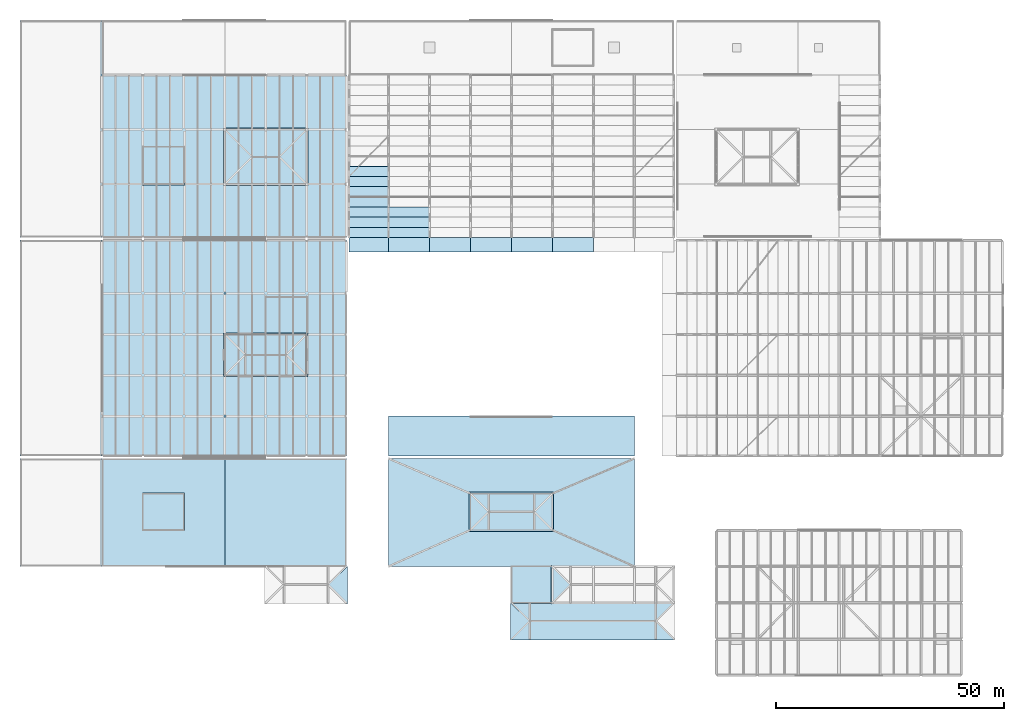
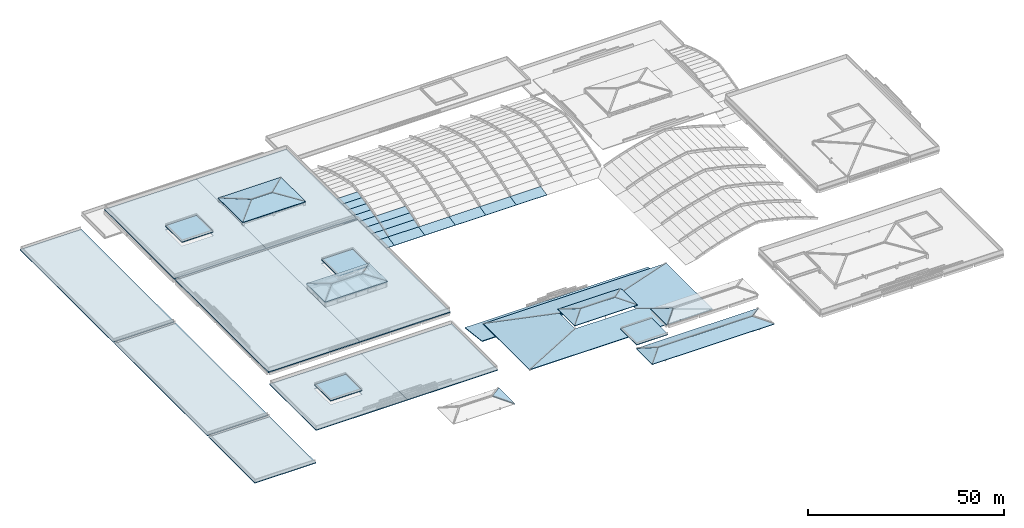
# One storey, part 41 of 56: 51 slabs, 20 elements without a shape of their own.
"""IFC4 building model written with IfcOpenShell, lengths in metres."""

from ifc_helpers import new_model, si_unit, direction, frame, origin, place, context, subcontext, project, spatial, polyline, outline, extrude, material, layer, layer_set, type_object, element, aggregate, save


model = new_model("IFC4")

# Units and contexts
model_context = context("Model", 3, precision=1e-05, world=origin(), true_north=direction((0.0, 1.0)))
body_context = subcontext(model_context, "Body", "Model", "MODEL_VIEW")
ifc_project = project(units=[si_unit("LENGTHUNIT", "METRE"), si_unit("AREAUNIT", "SQUARE_METRE"), si_unit("VOLUMEUNIT", "CUBIC_METRE"), si_unit("PLANEANGLEUNIT", "RADIAN"), si_unit("MASSUNIT", "GRAM", prefix="KILO")], contexts=[model_context])

# Site, building, storey
site_placement = place(None, origin())
site = spatial("IfcSite", under=ifc_project, at=site_placement, CompositionType="ELEMENT")
building_placement = place(site_placement, origin())
building = spatial("IfcBuilding", under=site, at=building_placement, Name="Zacnel Wholesale Market", CompositionType="ELEMENT")
storey_placement = place(building_placement, frame((0.0, 0.0, 20.300048828125)))
storey = spatial("IfcBuildingStorey", under=building, at=storey_placement, Name="RF", CompositionType="ELEMENT", Elevation=20.300048828125)

# Slabs
ifc_material_1 = material(Name="Precast concrete C45/55", Category="concrete")
ifc_layer_1 = layer(ifc_material_1, 0.239990234375)
ifc_layer_set_1 = layer_set([ifc_layer_1], Name="Precast concrete C45/55")
slab_type_1 = type_object("IfcSlabType", Name="SLB-CORE-RF240", PredefinedType="ROOF", material=ifc_layer_set_1)
slab_1_placement = place(storey_placement, frame((0.0, 0.0, -2.340087890625)))
element("IfcSlab", 1, at=slab_1_placement, inside=storey, type_object=slab_type_1, Name="Core C3 roof cap slab", PredefinedType="ROOF", context=body_context, shape_type="SweptSolid", body=[
    extrude(outline(polyline([(26.875, 31.875), (36.125, 31.875), (36.125, 40.125), (26.875, 40.125), (26.875, 31.875)])), origin(), (0.0, 0.0, 1.0), 0.239990234375),
])
slab_2_placement = place(storey_placement, frame((0.0, 0.0, 1.010009765625)))
element("IfcSlab", 2, at=slab_2_placement, inside=storey, type_object=slab_type_1, Name="Core C4 roof cap slab", PredefinedType="ROOF", context=body_context, shape_type="SweptSolid", body=[
    extrude(outline(polyline([(53.875, 74.875), (63.125, 74.875), (63.125, 83.324951171875), (53.875, 83.324951171875), (53.875, 74.875)])), origin(), (0.0, 0.0, 1.0), 0.239990234375),
])
slab_3_placement = place(storey_placement, frame((0.0, 0.0, 1.010009765625)))
element("IfcSlab", 3, at=slab_3_placement, inside=storey, type_object=slab_type_1, Name="Core C5 roof cap slab", PredefinedType="ROOF", context=body_context, shape_type="SweptSolid", body=[
    extrude(outline(polyline([(26.875, 107.875), (36.125, 107.875), (36.125, 116.324951171875), (26.875, 116.324951171875), (26.875, 107.875)])), origin(), (0.0, 0.0, 1.0), 0.239990234375),
])
slab_4_placement = place(storey_placement, frame((0.0, 0.0, -3.5400390625)))
element("IfcSlab", 4, at=slab_4_placement, inside=storey, type_object=slab_type_1, Name="Core C8 roof cap slab", PredefinedType="ROOF", context=body_context, shape_type="SweptSolid", body=[
    extrude(outline(polyline([(107.875, 15.875), (117.125, 15.875), (117.125, 24.125), (107.875, 24.125), (107.875, 15.875)])), origin(), (0.0, 0.0, 1.0), 0.239990234375),
])

# Roof, slab
ifc_material_2 = material(Name="Precast concrete C45/55", Category="concrete")
ifc_layer_2 = layer(ifc_material_2, 0.219970703125)
ifc_layer_set_2 = layer_set([ifc_layer_2], Name="Precast concrete C45/55")
roof_type_1 = type_object("IfcRoofType", Name="ROOF-PAVILION-COF", PredefinedType="PAVILION_ROOF", material=ifc_layer_set_2)
roof_1_placement = place(storey_placement, origin())
roof_1 = element("IfcRoof", 5, at=roof_1_placement, inside=storey, type_object=roof_type_1, Name="Auction pavilion colonnade portico roof", PredefinedType="PAVILION_ROOF")
ifc_material_3 = material(Name="Precast concrete C45/55", Category="concrete")
ifc_layer_3 = layer(ifc_material_3, 0.260009765625)
ifc_layer_set_3 = layer_set([ifc_layer_3], Name="Precast concrete C45/55")
slab_type_2 = type_object("IfcSlabType", Name="SLB-ROOF-COF-260", PredefinedType="ROOF", material=ifc_layer_set_3)
slab_5_placement = place(storey_placement, frame((81.0, 57.0, -13.5), z_axis=(0.0, 0.119826315043, 0.992794870164), x_axis=(1.0, 0.0, 0.0)))
slab_5 = element("IfcSlab", 6, at=slab_5_placement, type_object=slab_type_2, Name="Auction pavilion colonnade sloped roof", PredefinedType="ROOF", context=body_context, shape_type="SweptSolid", body=[
    extrude(outline(polyline([(0.0, 0.0), (54.0, 0.0), (54.0, -8.763090375800985), (0.0, -8.763090375800985), (0.0, 0.0)])), origin(), (0.0, 0.0, -1.0), 0.239990234375),
])
aggregate(roof_1, [slab_5])

# Roof, slabs
roof_2_placement = place(storey_placement, origin())
roof_2 = element("IfcRoof", 7, at=roof_2_placement, inside=storey, type_object=roof_type_1, Name="Auction pavilion hipped precast roof", PredefinedType="PAVILION_ROOF")
slab_6_placement = place(storey_placement, frame((81.0, 24.0, -6.650146484375), z_axis=(0.0, -0.196127644693, 0.98057837371), x_axis=(1.0, 0.0, 0.0)))
slab_6 = element("IfcSlab", 8, at=slab_6_placement, type_object=slab_type_2, Name="Auction pavilion hipped facet S", PredefinedType="ROOF", context=body_context, shape_type="SweptSolid", body=[
    extrude(outline(polyline([(0.0, 0.0), (54.0, 0.0), (36.0, 8.158450374276768), (18.0, 8.158450374276768), (0.0, 0.0)])), origin(), (0.0, 0.0, -1.0), 0.239990234375),
])
slab_7_placement = place(storey_placement, frame((135.0, 47.699951171875, -6.650146484375), z_axis=(0.0, 0.203459596992, 0.979083342924), x_axis=(-1.0, 0.0, 0.0)))
slab_7 = element("IfcSlab", 9, at=slab_7_placement, type_object=slab_type_2, Name="Auction pavilion hipped facet N", PredefinedType="ROOF", context=body_context, shape_type="SweptSolid", body=[
    extrude(outline(polyline([(0.0, 0.0), (54.0, 0.0), (36.0, 7.864449158001845), (18.0, 7.864449158001845), (0.0, 0.0)])), origin(), (0.0, 0.0, -1.0), 0.239990234375),
])
slab_8_placement = place(storey_placement, frame((81.0, 47.699951171875, -6.650146484375), z_axis=(-0.088545151956, 0.0, 0.996072164085), x_axis=(0.0, -1.0, 0.0)))
slab_8 = element("IfcSlab", 10, at=slab_8_placement, type_object=slab_type_2, Name="Auction pavilion hipped facet W", PredefinedType="ROOF", context=body_context, shape_type="SweptSolid", body=[
    extrude(outline(polyline([(0.0, 0.0), (23.699951171875, 0.0), (15.699951171875, 18.07097984364812), (7.699951171875, 18.07097984364812), (0.0, 0.0)])), origin(), (0.0, 0.0, -1.0), 0.239990234375),
])
slab_9_placement = place(storey_placement, frame((135.0, 24.0, -6.650146484375), z_axis=(0.088545151956, 0.0, 0.996072164085), x_axis=(0.0, 1.0, 0.0)))
slab_9 = element("IfcSlab", 11, at=slab_9_placement, type_object=slab_type_2, Name="Auction pavilion hipped facet E", PredefinedType="ROOF", context=body_context, shape_type="SweptSolid", body=[
    extrude(outline(polyline([(0.0, 0.0), (23.699951171875, 0.0), (16.0, 18.07097984364812), (8.0, 18.07097984364812), (0.0, 0.0)])), origin(), (0.0, 0.0, -1.0), 0.239990234375),
])
aggregate(roof_2, [slab_6, slab_7, slab_8, slab_9])

# Roof, slab
ifc_material_4 = material(Name="Precast concrete C45/55", Category="concrete")
ifc_layer_4 = layer(ifc_material_4, 0.280029296875)
ifc_layer_set_4 = layer_set([ifc_layer_4], Name="Precast concrete C45/55")
roof_type_2 = type_object("IfcRoofType", Name="ROOF-FLAT-PRECAST", PredefinedType="FLAT_ROOF", material=ifc_layer_set_4)
roof_3_placement = place(storey_placement, origin())
roof_3 = element("IfcRoof", 12, at=roof_3_placement, inside=storey, type_object=roof_type_2, Name="Precast roof assembly STR-ROOF-V3-DOCK-S", PredefinedType="FLAT_ROOF")
slab_10_placement = place(storey_placement, frame((0.0, 0.0, -13.760009765625)))
slab_10 = element("IfcSlab", 13, at=slab_10_placement, type_object=slab_type_2, Name="Precast roof slab STR-ROOF-V3-DOCK-S/SLB", PredefinedType="ROOF", context=body_context, shape_type="SweptSolid", body=[
    extrude(outline(polyline([(18.0, 24.0), (18.0, 47.699951171875), (0.0, 47.699951171875), (0.0, 24.0), (18.0, 24.0)])), origin(), (0.0, 0.0, 1.0), 0.260009765625),
])
aggregate(roof_3, [slab_10])

roof_4_placement = place(storey_placement, origin())
roof_4 = element("IfcRoof", 14, at=roof_4_placement, inside=storey, type_object=roof_type_2, Name="Precast roof assembly STR-ROOF-V3-DOCK-M", PredefinedType="FLAT_ROOF")
slab_11_placement = place(storey_placement, frame((0.0, 0.0, -13.760009765625)))
slab_11 = element("IfcSlab", 15, at=slab_11_placement, type_object=slab_type_2, Name="Precast roof slab STR-ROOF-V3-DOCK-M/SLB", PredefinedType="ROOF", context=body_context, shape_type="SweptSolid", body=[
    extrude(outline(polyline([(18.0, 48.300048828125), (18.0, 95.699951171875), (0.0, 95.699951171875), (0.0, 48.300048828125), (18.0, 48.300048828125)])), origin(), (0.0, 0.0, 1.0), 0.260009765625),
])
aggregate(roof_4, [slab_11])

roof_5_placement = place(storey_placement, origin())
roof_5 = element("IfcRoof", 16, at=roof_5_placement, inside=storey, type_object=roof_type_2, Name="Precast roof assembly STR-ROOF-V3-DOCK-N", PredefinedType="FLAT_ROOF")
slab_12_placement = place(storey_placement, frame((0.0, 0.0, -13.760009765625)))
slab_12 = element("IfcSlab", 17, at=slab_12_placement, type_object=slab_type_2, Name="Precast roof slab STR-ROOF-V3-DOCK-N/SLB", PredefinedType="ROOF", context=body_context, shape_type="SweptSolid", body=[
    extrude(outline(polyline([(18.0, 96.300048828125), (18.0, 144.0), (0.0, 144.0), (0.0, 96.300048828125), (18.0, 96.300048828125)])), origin(), (0.0, 0.0, 1.0), 0.260009765625),
])
aggregate(roof_5, [slab_12])

roof_6_placement = place(storey_placement, origin())
roof_6 = element("IfcRoof", 18, at=roof_6_placement, inside=storey, type_object=roof_type_1, Name="Hipped precast roof assembly STR-ROOF-V4W-PAV", PredefinedType="PAVILION_ROOF")
slab_13_placement = place(storey_placement, frame((71.949951171875, 15.75, -9.10009765625), z_axis=(0.302734291472, 0.0, 0.953074996402), x_axis=(0.0, 1.0, 0.0)))
slab_13 = element("IfcSlab", 19, at=slab_13_placement, type_object=slab_type_2, Name="Hipped roof facet STR-ROOF-V4W-PAV-E", PredefinedType="ROOF", context=body_context, shape_type="SweptSolid", body=[
    extrude(outline(polyline([(0.0, 0.0), (8.239990234375, 0.0), (4.25, 4.401614117683645), (0.0, 0.0)])), origin(), (0.0, 0.0, -1.0), 0.219970703125),
])
aggregate(roof_6, [slab_13])

# Roof, slabs
roof_7_placement = place(storey_placement, origin())
roof_7 = element("IfcRoof", 20, at=roof_7_placement, inside=storey, type_object=roof_type_1, Name="Hipped precast roof assembly STR-ROOF-V4E-SOUTH", PredefinedType="PAVILION_ROOF")
slab_14_placement = place(storey_placement, frame((107.800048828125, 7.800048828125, -4.550048828125), z_axis=(0.0, -0.295678837886, 0.955287404306), x_axis=(1.0, 0.0, 0.0)))
slab_14 = element("IfcSlab", 21, at=slab_14_placement, type_object=slab_type_2, Name="Hipped roof facet STR-ROOF-V4E-SOUTH-S", PredefinedType="ROOF", context=body_context, shape_type="SweptSolid", body=[
    extrude(outline(polyline([(0.0, 0.0), (36.099853515625, 0.0), (31.954833984375, 4.3390287703623835), (4.14501953125, 4.3390287703623835), (0.0, 0.0)])), origin(), (0.0, 0.0, -1.0), 0.219970703125),
])
slab_15_placement = place(storey_placement, frame((143.89990234375, 15.989990234375, -4.550048828125), z_axis=(0.0, 0.309760937826, 0.950814472648), x_axis=(-1.0, 0.0, 0.0)))
slab_15 = element("IfcSlab", 22, at=slab_15_placement, type_object=slab_type_2, Name="Hipped roof facet STR-ROOF-V4E-SOUTH-N", PredefinedType="ROOF", context=body_context, shape_type="SweptSolid", body=[
    extrude(outline(polyline([(0.0, 0.0), (36.099853515625, 0.0), (31.954833984375, 4.138618738932378), (4.14501953125, 4.138618738932378), (0.0, 0.0)])), origin(), (0.0, 0.0, -1.0), 0.219970703125),
])
slab_16_placement = place(storey_placement, frame((107.800048828125, 15.989990234375, -4.550048828125), z_axis=(-0.295678837886, 0.0, 0.955287404306), x_axis=(0.0, -1.0, 0.0)))
slab_16 = element("IfcSlab", 23, at=slab_16_placement, type_object=slab_type_2, Name="Hipped roof facet STR-ROOF-V4E-SOUTH-W", PredefinedType="ROOF", context=body_context, shape_type="SweptSolid", body=[
    extrude(outline(polyline([(0.0, 0.0), (8.18994140625, 0.0), (3.989990234375, 4.339028770362384), (0.0, 0.0)])), origin(), (0.0, 0.0, -1.0), 0.219970703125),
])
aggregate(roof_7, [slab_14, slab_15, slab_16])

# Roof, slab
roof_8_placement = place(storey_placement, origin())
roof_8 = element("IfcRoof", 24, at=roof_8_placement, inside=storey, type_object=roof_type_1, Name="Hipped precast roof assembly STR-ROOF-V4E-TOP", PredefinedType="PAVILION_ROOF")
slab_17_placement = place(storey_placement, frame((116.75, 24.25, -0.300048828125), z_axis=(-0.292505539311, 0.0, 0.956263828382), x_axis=(0.0, -1.0, 0.0)))
slab_17 = element("IfcSlab", 25, at=slab_17_placement, type_object=slab_type_2, Name="Hipped roof facet STR-ROOF-V4E-TOP-W", PredefinedType="ROOF", context=body_context, shape_type="SweptSolid", body=[
    extrude(outline(polyline([(0.0, 0.0), (8.5, 0.0), (4.25, 4.386936151785095), (0.0, 0.0)])), origin(), (0.0, 0.0, -1.0), 0.219970703125),
])
aggregate(roof_8, [slab_17])

# Roof, slabs
roof_9_placement = place(storey_placement, origin())
roof_9 = element("IfcRoof", 26, at=roof_9_placement, inside=storey, type_object=roof_type_2, Name="Precast roof assembly STR-ROOF-V3-DT-S", PredefinedType="FLAT_ROOF")
ifc_material_5 = material(Name="Precast concrete C45/55", Category="concrete")
ifc_layer_5 = layer(ifc_material_5, 0.280029296875)
ifc_layer_set_5 = layer_set([ifc_layer_5], Name="Precast concrete C45/55")
slab_type_3 = type_object("IfcSlabType", Name="SLB-ROOF-DT-280", PredefinedType="ROOF", material=ifc_layer_set_5)
slab_18_placement = place(storey_placement, frame((0.0, 0.0, -3.630126953125)))
slab_18 = element("IfcSlab", 27, at=slab_18_placement, type_object=slab_type_3, Name="Precast roof slab STR-ROOF-V3-DT-S/SLB1", PredefinedType="ROOF", context=body_context, shape_type="SweptSolid", body=[
    extrude(outline(polyline([(18.0, 47.699951171875), (45.0, 47.699951171875), (45.0, 24.0), (18.0, 24.0), (18.0, 47.699951171875)]), holes=[polyline([(26.8701171875, 40.1298828125), (26.8701171875, 31.8701171875), (36.1298828125, 31.8701171875), (36.1298828125, 40.1298828125), (26.8701171875, 40.1298828125)])]), origin(), (0.0, 0.0, 1.0), 0.280029296875),
])
slab_19_placement = place(storey_placement, frame((0.0, 0.0, -3.630126953125)))
slab_19 = element("IfcSlab", 28, at=slab_19_placement, type_object=slab_type_3, Name="Precast roof slab STR-ROOF-V3-DT-S/SLB2", PredefinedType="ROOF", context=body_context, shape_type="SweptSolid", body=[
    extrude(outline(polyline([(71.699951171875, 47.699951171875), (71.699951171875, 24.0), (45.0, 24.0), (45.0, 47.699951171875), (71.699951171875, 47.699951171875)])), origin(), (0.0, 0.0, 1.0), 0.280029296875),
])
aggregate(roof_9, [slab_18, slab_19])

# Roof, slab
ifc_material_6 = material(Name="Concrete C40/50", Category="concrete")
ifc_layer_6 = layer(ifc_material_6, 0.110107421875)
ifc_layer_set_6 = layer_set([ifc_layer_6], Name="Concrete C40/50")
roof_type_3 = type_object("IfcRoofType", Name="ROOF-BARREL-36M", PredefinedType="BARREL_ROOF", material=ifc_layer_set_6)
roof_10_placement = place(storey_placement, origin())
roof_10 = element("IfcRoof", 29, at=roof_10_placement, inside=storey, type_object=roof_type_3, Name="Parabolic barrel-shell roof V1N-W-01", PredefinedType="BARREL_ROOF")
ifc_material_7 = material(Name="Concrete C40/50", Category="concrete")
ifc_layer_7 = layer(ifc_material_7, 0.1298828125)
ifc_layer_set_7 = layer_set([ifc_layer_7], Name="Concrete C40/50")
slab_type_4 = type_object("IfcSlabType", Name="SLB-ROOF-EAVE-130", PredefinedType="ROOF", material=ifc_layer_set_7)
slab_20_placement = place(storey_placement, frame((72.300048828125, 93.10009765625, -9.800048828125), z_axis=(0.0, -0.213685764849, 0.976902448508), x_axis=(1.0, 0.0, 0.0)))
slab_20 = element("IfcSlab", 30, at=slab_20_placement, type_object=slab_type_4, Name="Storm eave shell leaf V1N-W-01", PredefinedType="ROOF", context=body_context, shape_type="SweptSolid", body=[
    extrude(outline(polyline([(0.0, 0.0), (8.699951171875, 0.0), (8.699951171875, 3.275609736429749), (0.0, 3.275609736429749), (0.0, 0.0)])), origin(), (0.0, 0.0, -1.0), 0.1298828125),
])

roof_11_placement = place(storey_placement, origin())
roof_11 = element("IfcRoof", 31, at=roof_11_placement, inside=storey, type_object=roof_type_3, Name="Parabolic barrel-shell roof V1N-W-02", PredefinedType="BARREL_ROOF")
slab_21_placement = place(storey_placement, frame((81.0, 93.10009765625, -9.800048828125), z_axis=(0.0, -0.213685764849, 0.976902448508), x_axis=(1.0, 0.0, 0.0)))
slab_21 = element("IfcSlab", 32, at=slab_21_placement, type_object=slab_type_4, Name="Storm eave shell leaf V1N-W-02", PredefinedType="ROOF", context=body_context, shape_type="SweptSolid", body=[
    extrude(outline(polyline([(0.0, 0.0), (9.0, 0.0), (9.0, 3.2756097364297494), (0.0, 3.2756097364297494), (0.0, 0.0)])), origin(), (0.0, 0.0, -1.0), 0.1298828125),
])

roof_12_placement = place(storey_placement, origin())
roof_12 = element("IfcRoof", 33, at=roof_12_placement, inside=storey, type_object=roof_type_3, Name="Parabolic barrel-shell roof V1N-W-03", PredefinedType="BARREL_ROOF")
slab_22_placement = place(storey_placement, frame((90.0, 93.10009765625, -9.800048828125), z_axis=(0.0, -0.213685764849, 0.976902448508), x_axis=(1.0, 0.0, 0.0)))
slab_22 = element("IfcSlab", 34, at=slab_22_placement, type_object=slab_type_4, Name="Storm eave shell leaf V1N-W-03", PredefinedType="ROOF", context=body_context, shape_type="SweptSolid", body=[
    extrude(outline(polyline([(0.0, 0.0), (9.0, 0.0), (9.0, 3.2756097364297494), (0.0, 3.2756097364297494), (0.0, 0.0)])), origin(), (0.0, 0.0, -1.0), 0.1298828125),
])
aggregate(roof_12, [slab_22])

roof_13_placement = place(storey_placement, origin())
roof_13 = element("IfcRoof", 35, at=roof_13_placement, inside=storey, type_object=roof_type_3, Name="Parabolic barrel-shell roof V1N-W-04", PredefinedType="BARREL_ROOF")
slab_23_placement = place(storey_placement, frame((99.0, 93.10009765625, -9.800048828125), z_axis=(0.0, -0.213685764849, 0.976902448508), x_axis=(1.0, 0.0, 0.0)))
slab_23 = element("IfcSlab", 36, at=slab_23_placement, type_object=slab_type_4, Name="Storm eave shell leaf V1N-W-04", PredefinedType="ROOF", context=body_context, shape_type="SweptSolid", body=[
    extrude(outline(polyline([(0.0, 0.0), (9.0, 0.0), (9.0, 3.2756097364297494), (0.0, 3.2756097364297494), (0.0, 0.0)])), origin(), (0.0, 0.0, -1.0), 0.1298828125),
])
aggregate(roof_13, [slab_23])

roof_14_placement = place(storey_placement, origin())
roof_14 = element("IfcRoof", 37, at=roof_14_placement, inside=storey, type_object=roof_type_3, Name="Parabolic barrel-shell roof V1N-W-05", PredefinedType="BARREL_ROOF")
slab_24_placement = place(storey_placement, frame((108.0, 93.10009765625, -9.800048828125), z_axis=(0.0, -0.213685764849, 0.976902448508), x_axis=(1.0, 0.0, 0.0)))
slab_24 = element("IfcSlab", 38, at=slab_24_placement, type_object=slab_type_4, Name="Storm eave shell leaf V1N-W-05", PredefinedType="ROOF", context=body_context, shape_type="SweptSolid", body=[
    extrude(outline(polyline([(0.0, 0.0), (9.0, 0.0), (9.0, 3.2756097364297494), (0.0, 3.2756097364297494), (0.0, 0.0)])), origin(), (0.0, 0.0, -1.0), 0.1298828125),
])
aggregate(roof_14, [slab_24])

roof_15_placement = place(storey_placement, origin())
roof_15 = element("IfcRoof", 39, at=roof_15_placement, inside=storey, type_object=roof_type_3, Name="Parabolic barrel-shell roof V1N-W-06", PredefinedType="BARREL_ROOF")
slab_25_placement = place(storey_placement, frame((117.0, 93.10009765625, -9.800048828125), z_axis=(0.0, -0.213685764849, 0.976902448508), x_axis=(1.0, 0.0, 0.0)))
slab_25 = element("IfcSlab", 40, at=slab_25_placement, type_object=slab_type_4, Name="Storm eave shell leaf V1N-W-06", PredefinedType="ROOF", context=body_context, shape_type="SweptSolid", body=[
    extrude(outline(polyline([(0.0, 0.0), (9.0, 0.0), (9.0, 3.2756097364297494), (0.0, 3.2756097364297494), (0.0, 0.0)])), origin(), (0.0, 0.0, -1.0), 0.1298828125),
])
aggregate(roof_15, [slab_25])

# Roof, slabs
roof_16_placement = place(storey_placement, origin())
roof_16 = element("IfcRoof", 41, at=roof_16_placement, inside=storey, type_object=roof_type_1, Name="Hipped precast roof assembly STR-ROOF-V2-LANT", PredefinedType="PAVILION_ROOF")
ifc_material_8 = material(Name="Precast concrete C45/55", Category="concrete")
ifc_layer_8 = layer(ifc_material_8, 0.219970703125)
ifc_layer_set_8 = layer_set([ifc_layer_8], Name="Precast concrete C45/55")
slab_type_5 = type_object("IfcSlabType", Name="SLB-ROOF-LAN-220", PredefinedType="ROOF", material=ifc_layer_set_8)
slab_26_placement = place(storey_placement, frame((98.699951171875, 31.699951171875, -3.85009765625), z_axis=(0.0, -0.289397712387, 0.957208944831), x_axis=(1.0, 0.0, 0.0)))
slab_26 = element("IfcSlab", 42, at=slab_26_placement, type_object=slab_type_5, Name="Hipped roof facet STR-ROOF-V2-LANT-S", PredefinedType="ROOF", context=body_context, shape_type="SweptSolid", body=[
    extrude(outline(polyline([(0.0, 0.0), (18.60009765625, 0.0), (14.35498046875, 4.434890846373584), (4.2451171875, 4.434890846373584), (0.0, 0.0)])), origin(), (0.0, 0.0, -1.0), 0.199951171875),
])
slab_27_placement = place(storey_placement, frame((117.300048828125, 40.300048828125, -3.85009765625), z_axis=(0.0, 0.289397712387, 0.957208944831), x_axis=(-1.0, 0.0, 0.0)))
slab_27 = element("IfcSlab", 43, at=slab_27_placement, type_object=slab_type_5, Name="Hipped roof facet STR-ROOF-V2-LANT-N", PredefinedType="ROOF", context=body_context, shape_type="SweptSolid", body=[
    extrude(outline(polyline([(0.0, 0.0), (18.60009765625, 0.0), (14.35498046875, 4.434890846373584), (4.2451171875, 4.434890846373584), (0.0, 0.0)])), origin(), (0.0, 0.0, -1.0), 0.199951171875),
])
slab_28_placement = place(storey_placement, frame((98.699951171875, 40.300048828125, -3.85009765625), z_axis=(-0.289397712387, 0.0, 0.957208944831), x_axis=(0.0, -1.0, 0.0)))
slab_28 = element("IfcSlab", 44, at=slab_28_placement, type_object=slab_type_5, Name="Hipped roof facet STR-ROOF-V2-LANT-W", PredefinedType="ROOF", context=body_context, shape_type="SweptSolid", body=[
    extrude(outline(polyline([(0.0, 0.0), (8.60009765625, 0.0), (4.300048828125, 4.434890846373583), (0.0, 0.0)])), origin(), (0.0, 0.0, -1.0), 0.199951171875),
])
slab_29_placement = place(storey_placement, frame((117.300048828125, 31.699951171875, -3.85009765625), z_axis=(0.289397712387, 0.0, 0.957208944831), x_axis=(0.0, 1.0, 0.0)))
slab_29 = element("IfcSlab", 45, at=slab_29_placement, type_object=slab_type_5, Name="Hipped roof facet STR-ROOF-V2-LANT-E", PredefinedType="ROOF", context=body_context, shape_type="SweptSolid", body=[
    extrude(outline(polyline([(0.0, 0.0), (8.60009765625, 0.0), (4.300048828125, 4.434890846373583), (0.0, 0.0)])), origin(), (0.0, 0.0, -1.0), 0.199951171875),
])
aggregate(roof_16, [slab_26, slab_27, slab_28, slab_29])

roof_17_placement = place(storey_placement, origin())
roof_17 = element("IfcRoof", 46, at=roof_17_placement, inside=storey, type_object=roof_type_1, Name="Hipped precast roof assembly STR-ROOF-V3NLAN", PredefinedType="PAVILION_ROOF")
slab_30_placement = place(storey_placement, frame((44.699951171875, 107.699951171875, 1.199951171875), z_axis=(0.0, -0.187097990464, 0.982341255351), x_axis=(1.0, 0.0, 0.0)))
slab_30 = element("IfcSlab", 47, at=slab_30_placement, type_object=slab_type_5, Name="Hipped roof facet STR-ROOF-V3NLAN-S", PredefinedType="ROOF", context=body_context, shape_type="SweptSolid", body=[
    extrude(outline(polyline([(0.0, 0.0), (18.60009765625, 0.0), (12.35498046875, 6.357380547220701), (6.2451171875, 6.357380547220701), (0.0, 0.0)])), origin(), (0.0, 0.0, -1.0), 0.219970703125),
])
slab_31_placement = place(storey_placement, frame((63.300048828125, 120.300048828125, 1.199951171875), z_axis=(0.0, 0.187097990464, 0.982341255351), x_axis=(-1.0, 0.0, 0.0)))
slab_31 = element("IfcSlab", 48, at=slab_31_placement, type_object=slab_type_5, Name="Hipped roof facet STR-ROOF-V3NLAN-N", PredefinedType="ROOF", context=body_context, shape_type="SweptSolid", body=[
    extrude(outline(polyline([(0.0, 0.0), (18.60009765625, 0.0), (12.35498046875, 6.357380547220701), (6.2451171875, 6.357380547220701), (0.0, 0.0)])), origin(), (0.0, 0.0, -1.0), 0.219970703125),
])
slab_32_placement = place(storey_placement, frame((44.699951171875, 120.300048828125, 1.199951171875), z_axis=(-0.187097990464, 0.0, 0.982341255351), x_axis=(0.0, -1.0, 0.0)))
slab_32 = element("IfcSlab", 49, at=slab_32_placement, type_object=slab_type_5, Name="Hipped roof facet STR-ROOF-V3NLAN-W", PredefinedType="ROOF", context=body_context, shape_type="SweptSolid", body=[
    extrude(outline(polyline([(0.0, 0.0), (12.60009765625, 0.0), (6.300048828125, 6.3573805472207), (0.0, 0.0)])), origin(), (0.0, 0.0, -1.0), 0.219970703125),
])
slab_33_placement = place(storey_placement, frame((63.300048828125, 107.699951171875, 1.199951171875), z_axis=(0.187097990464, 0.0, 0.982341255351), x_axis=(0.0, 1.0, 0.0)))
slab_33 = element("IfcSlab", 50, at=slab_33_placement, type_object=slab_type_5, Name="Hipped roof facet STR-ROOF-V3NLAN-E", PredefinedType="ROOF", context=body_context, shape_type="SweptSolid", body=[
    extrude(outline(polyline([(0.0, 0.0), (12.60009765625, 0.0), (6.300048828125, 6.3573805472207), (0.0, 0.0)])), origin(), (0.0, 0.0, -1.0), 0.219970703125),
])
aggregate(roof_17, [slab_30, slab_31, slab_32, slab_33])

roof_18_placement = place(storey_placement, origin())
roof_18 = element("IfcRoof", 51, at=roof_18_placement, inside=storey, type_object=roof_type_1, Name="Hipped precast roof assembly STR-ROOF-V3-PENT", PredefinedType="PAVILION_ROOF")
slab_34_placement = place(storey_placement, frame((44.699951171875, 65.699951171875, 1.800048828125), z_axis=(0.0, -0.223372185616, 0.974733228475), x_axis=(1.0, 0.0, 0.0)))
slab_34 = element("IfcSlab", 52, at=slab_34_placement, type_object=slab_type_5, Name="Hipped roof facet STR-ROOF-V3-PENT-S", PredefinedType="ROOF", context=body_context, shape_type="SweptSolid", body=[
    extrude(outline(polyline([(0.0, 0.0), (18.60009765625, 0.0), (13.85498046875, 4.868118833831083), (4.7451171875, 4.868118833831083), (0.0, 0.0)])), origin(), (0.0, 0.0, -1.0), 0.219970703125),
])
slab_35_placement = place(storey_placement, frame((63.300048828125, 75.300048828125, 1.800048828125), z_axis=(0.0, 0.223372185616, 0.974733228475), x_axis=(-1.0, 0.0, 0.0)))
slab_35 = element("IfcSlab", 53, at=slab_35_placement, type_object=slab_type_5, Name="Hipped roof facet STR-ROOF-V3-PENT-N", PredefinedType="ROOF", context=body_context, shape_type="SweptSolid", body=[
    extrude(outline(polyline([(0.0, 0.0), (18.60009765625, 0.0), (13.85498046875, 4.868118833831083), (4.7451171875, 4.868118833831083), (0.0, 0.0)])), origin(), (0.0, 0.0, -1.0), 0.219970703125),
])
slab_36_placement = place(storey_placement, frame((44.699951171875, 75.300048828125, 1.800048828125), z_axis=(-0.223372185616, 0.0, 0.974733228475), x_axis=(0.0, -1.0, 0.0)))
slab_36 = element("IfcSlab", 54, at=slab_36_placement, type_object=slab_type_5, Name="Hipped roof facet STR-ROOF-V3-PENT-W", PredefinedType="ROOF", context=body_context, shape_type="SweptSolid", body=[
    extrude(outline(polyline([(0.0, 0.0), (9.60009765625, 0.0), (4.800048828125, 4.868118833831083), (0.0, 0.0)])), origin(), (0.0, 0.0, -1.0), 0.219970703125),
])
slab_37_placement = place(storey_placement, frame((63.300048828125, 65.699951171875, 1.800048828125), z_axis=(0.223372185616, 0.0, 0.974733228475), x_axis=(0.0, 1.0, 0.0)))
slab_37 = element("IfcSlab", 55, at=slab_37_placement, type_object=slab_type_5, Name="Hipped roof facet STR-ROOF-V3-PENT-E", PredefinedType="ROOF", context=body_context, shape_type="SweptSolid", body=[
    extrude(outline(polyline([(0.0, 0.0), (9.60009765625, 0.0), (4.800048828125, 4.868118833831083), (0.0, 0.0)])), origin(), (0.0, 0.0, -1.0), 0.219970703125),
])
aggregate(roof_18, [slab_34, slab_35, slab_36, slab_37])

roof_19_placement = place(storey_placement, origin())
roof_19 = element("IfcRoof", 56, at=roof_19_placement, inside=storey, type_object=roof_type_2, Name="Precast roof assembly STR-ROOF-V3-DT-N", PredefinedType="FLAT_ROOF")
ifc_material_9 = material(Name="Precast concrete C45/55", Category="concrete")
ifc_layer_9 = layer(ifc_material_9, 0.320068359375)
ifc_layer_set_9 = layer_set([ifc_layer_9], Name="Precast concrete C45/55")
slab_type_6 = type_object("IfcSlabType", Name="SLB-ROOF-PLT-320", PredefinedType="ROOF", material=ifc_layer_set_9)
slab_38_placement = place(storey_placement, frame((0.0, 0.0, -0.320068359375)))
slab_38 = element("IfcSlab", 57, at=slab_38_placement, type_object=slab_type_6, Name="Precast roof slab STR-ROOF-V3-DT-N/SLB1", PredefinedType="ROOF", context=body_context, shape_type="SweptSolid", body=[
    extrude(outline(polyline([(18.0, 132.0), (45.0, 132.0), (45.0, 96.300048828125), (18.0, 96.300048828125), (18.0, 132.0)]), holes=[polyline([(26.8701171875, 116.330078125), (26.8701171875, 107.8701171875), (36.1298828125, 107.8701171875), (36.1298828125, 116.330078125), (26.8701171875, 116.330078125)])]), origin(), (0.0, 0.0, 1.0), 0.320068359375),
])
slab_39_placement = place(storey_placement, frame((0.0, 0.0, -0.320068359375)))
slab_39 = element("IfcSlab", 58, at=slab_39_placement, type_object=slab_type_6, Name="Precast roof slab STR-ROOF-V3-DT-N/SLB2", PredefinedType="ROOF", context=body_context, shape_type="SweptSolid", body=[
    extrude(outline(polyline([(71.699951171875, 132.0), (71.699951171875, 96.300048828125), (45.0, 96.300048828125), (45.0, 132.0), (71.699951171875, 132.0)])), origin(), (0.0, 0.0, 1.0), 0.320068359375),
])
aggregate(roof_19, [slab_38, slab_39])

roof_20_placement = place(storey_placement, origin())
roof_20 = element("IfcRoof", 59, at=roof_20_placement, inside=storey, type_object=roof_type_2, Name="Precast roof assembly STR-ROOF-V3-TOP", PredefinedType="FLAT_ROOF")
slab_40_placement = place(storey_placement, frame((0.0, 0.0, -0.320068359375)))
slab_40 = element("IfcSlab", 60, at=slab_40_placement, type_object=slab_type_6, Name="Precast roof slab STR-ROOF-V3-TOP/SLB1", PredefinedType="ROOF", context=body_context, shape_type="SweptSolid", body=[
    extrude(outline(polyline([(18.0, 95.699951171875), (45.0, 95.699951171875), (45.0, 48.300048828125), (18.0, 48.300048828125), (18.0, 95.699951171875)])), origin(), (0.0, 0.0, 1.0), 0.320068359375),
])
slab_41_placement = place(storey_placement, frame((0.0, 0.0, -0.320068359375)))
slab_41 = element("IfcSlab", 61, at=slab_41_placement, type_object=slab_type_6, Name="Precast roof slab STR-ROOF-V3-TOP/SLB2", PredefinedType="ROOF", context=body_context, shape_type="SweptSolid", body=[
    extrude(outline(polyline([(71.699951171875, 95.699951171875), (71.699951171875, 48.300048828125), (45.0, 48.300048828125), (45.0, 95.699951171875), (71.699951171875, 95.699951171875)]), holes=[polyline([(53.8701171875, 83.330078125), (53.8701171875, 74.8701171875), (63.1298828125, 74.8701171875), (63.1298828125, 83.330078125), (53.8701171875, 83.330078125)])]), origin(), (0.0, 0.0, 1.0), 0.320068359375),
])
aggregate(roof_20, [slab_40, slab_41])

# Slab
ifc_material_10 = material(Name="Concrete C40/50", Category="concrete")
ifc_layer_10 = layer(ifc_material_10, 0.110107421875)
ifc_layer_set_10 = layer_set([ifc_layer_10], Name="Concrete C40/50")
slab_type_7 = type_object("IfcSlabType", Name="SLB-ROOF-SHELL-110", PredefinedType="ROOF", material=ifc_layer_set_10)
slab_42_placement = place(storey_placement, frame((72.300048828125, 96.300048828125, -9.10009765625), z_axis=(0.0, -0.366946359501, 0.930242102492), x_axis=(1.0, 0.0, 0.0)))
slab_42 = element("IfcSlab", 62, at=slab_42_placement, type_object=slab_type_7, Name="Barrel-shell facet V1N-W-01-F01", PredefinedType="ROOF", context=body_context, shape_type="SweptSolid", body=[
    extrude(outline(polyline([(0.0, 0.0), (8.699951171875, 0.0), (8.699951171875, 2.3985166505558118), (0.0, 2.3985166505558118), (0.0, 0.0)])), origin(), (0.0, 0.0, -1.0), 0.110107421875),
])

slab_43_placement = place(storey_placement, frame((72.300048828125, 98.53125, -8.219970703125), z_axis=(0.0, -0.337438907944, 0.941347429701), x_axis=(1.0, 0.0, 0.0)))
slab_43 = element("IfcSlab", 63, at=slab_43_placement, type_object=slab_type_7, Name="Barrel-shell facet V1N-W-01-F02", PredefinedType="ROOF", context=body_context, shape_type="SweptSolid", body=[
    extrude(outline(polyline([(0.0, 0.0), (8.699951171875, 0.0), (8.699951171875, 2.370220708609927), (0.0, 2.370220708609927), (0.0, 0.0)])), origin(), (0.0, 0.0, -1.0), 0.110107421875),
])

slab_44_placement = place(storey_placement, frame((72.300048828125, 100.762451171875, -7.420166015625), z_axis=(0.0, -0.307185321823, 0.951649713947), x_axis=(1.0, 0.0, 0.0)))
slab_44 = element("IfcSlab", 64, at=slab_44_placement, type_object=slab_type_7, Name="Barrel-shell facet V1N-W-01-F03", PredefinedType="ROOF", context=body_context, shape_type="SweptSolid", body=[
    extrude(outline(polyline([(0.0, 0.0), (8.699951171875, 0.0), (8.699951171875, 2.344561385533382), (0.0, 2.344561385533382), (0.0, 0.0)])), origin(), (0.0, 0.0, -1.0), 0.110107421875),
])

slab_45_placement = place(storey_placement, frame((72.300048828125, 102.99365234375, -6.699951171875), z_axis=(0.0, -0.275651658171, 0.961257594689), x_axis=(1.0, 0.0, 0.0)))
slab_45 = element("IfcSlab", 65, at=slab_45_placement, type_object=slab_type_7, Name="Barrel-shell facet V1N-W-01-F04", PredefinedType="ROOF", context=body_context, shape_type="SweptSolid", body=[
    extrude(outline(polyline([(0.0, 0.0), (8.699951171875, 0.0), (8.699951171875, 2.3213812039856103), (0.0, 2.3213812039856103), (0.0, 0.0)])), origin(), (0.0, 0.0, -1.0), 0.110107421875),
])

slab_46_placement = place(storey_placement, frame((72.300048828125, 105.22509765625, -6.06005859375), z_axis=(0.0, -0.251619964429, 0.967826117389), x_axis=(1.0, 0.0, 0.0)))
slab_46 = element("IfcSlab", 66, at=slab_46_placement, type_object=slab_type_7, Name="Barrel-shell facet V1N-W-01-F05", PredefinedType="ROOF", context=body_context, shape_type="SweptSolid", body=[
    extrude(outline(polyline([(0.0, 0.0), (8.699951171875, 0.0), (8.699951171875, 2.3053740044686655), (0.0, 2.3053740044686655), (0.0, 0.0)])), origin(), (0.0, 0.0, -1.0), 0.110107421875),
])

slab_47_placement = place(storey_placement, frame((72.300048828125, 107.456298828125, -5.47998046875), z_axis=(0.0, -0.226983688872, 0.973898559906), x_axis=(1.0, 0.0, 0.0)))
slab_47 = element("IfcSlab", 67, at=slab_47_placement, type_object=slab_type_7, Name="Barrel-shell facet V1N-W-01-F06", PredefinedType="ROOF", context=body_context, shape_type="SweptSolid", body=[
    extrude(outline(polyline([(0.0, 0.0), (8.699951171875, 0.0), (8.699951171875, 2.2909995596371995), (0.0, 2.2909995596371995), (0.0, 0.0)])), origin(), (0.0, 0.0, -1.0), 0.110107421875),
])

slab_48_placement = place(storey_placement, frame((72.300048828125, 109.6875, -4.9599609375), z_axis=(0.0, -0.201903890951, 0.979405339386), x_axis=(1.0, 0.0, 0.0)))
slab_48 = element("IfcSlab", 68, at=slab_48_placement, type_object=slab_type_7, Name="Barrel-shell facet V1N-W-01-F07", PredefinedType="ROOF", context=body_context, shape_type="SweptSolid", body=[
    extrude(outline(polyline([(0.0, 0.0), (8.699951171875, 0.0), (8.699951171875, 2.2781182439465804), (0.0, 2.2781182439465804), (0.0, 0.0)])), origin(), (0.0, 0.0, -1.0), 0.110107421875),
])

aggregate(roof_10, [slab_42, slab_43, slab_44, slab_45, slab_46, slab_47, slab_48, slab_20])

slab_49_placement = place(storey_placement, frame((81.0, 96.300048828125, -9.10009765625), z_axis=(0.0, -0.366946359501, 0.930242102492), x_axis=(1.0, 0.0, 0.0)))
slab_49 = element("IfcSlab", 69, at=slab_49_placement, type_object=slab_type_7, Name="Barrel-shell facet V1N-W-02-F01", PredefinedType="ROOF", context=body_context, shape_type="SweptSolid", body=[
    extrude(outline(polyline([(0.0, 0.0), (9.0, 0.0), (9.0, 2.3985166505558118), (0.0, 2.3985166505558118), (0.0, 0.0)])), origin(), (0.0, 0.0, -1.0), 0.110107421875),
])

slab_50_placement = place(storey_placement, frame((81.0, 98.53125, -8.219970703125), z_axis=(0.0, -0.337438907944, 0.941347429701), x_axis=(1.0, 0.0, 0.0)))
slab_50 = element("IfcSlab", 70, at=slab_50_placement, type_object=slab_type_7, Name="Barrel-shell facet V1N-W-02-F02", PredefinedType="ROOF", context=body_context, shape_type="SweptSolid", body=[
    extrude(outline(polyline([(0.0, 0.0), (9.0, 0.0), (9.0, 2.370220708609927), (0.0, 2.370220708609927), (0.0, 0.0)])), origin(), (0.0, 0.0, -1.0), 0.110107421875),
])

slab_51_placement = place(storey_placement, frame((81.0, 100.762451171875, -7.420166015625), z_axis=(0.0, -0.307185321823, 0.951649713947), x_axis=(1.0, 0.0, 0.0)))
slab_51 = element("IfcSlab", 71, at=slab_51_placement, type_object=slab_type_7, Name="Barrel-shell facet V1N-W-02-F03", PredefinedType="ROOF", context=body_context, shape_type="SweptSolid", body=[
    extrude(outline(polyline([(0.0, 0.0), (9.0, 0.0), (9.0, 2.3445613855333813), (0.0, 2.3445613855333813), (0.0, 0.0)])), origin(), (0.0, 0.0, -1.0), 0.110107421875),
])

aggregate(roof_11, [slab_49, slab_50, slab_51, slab_21])

save(model, "model.ifc")
